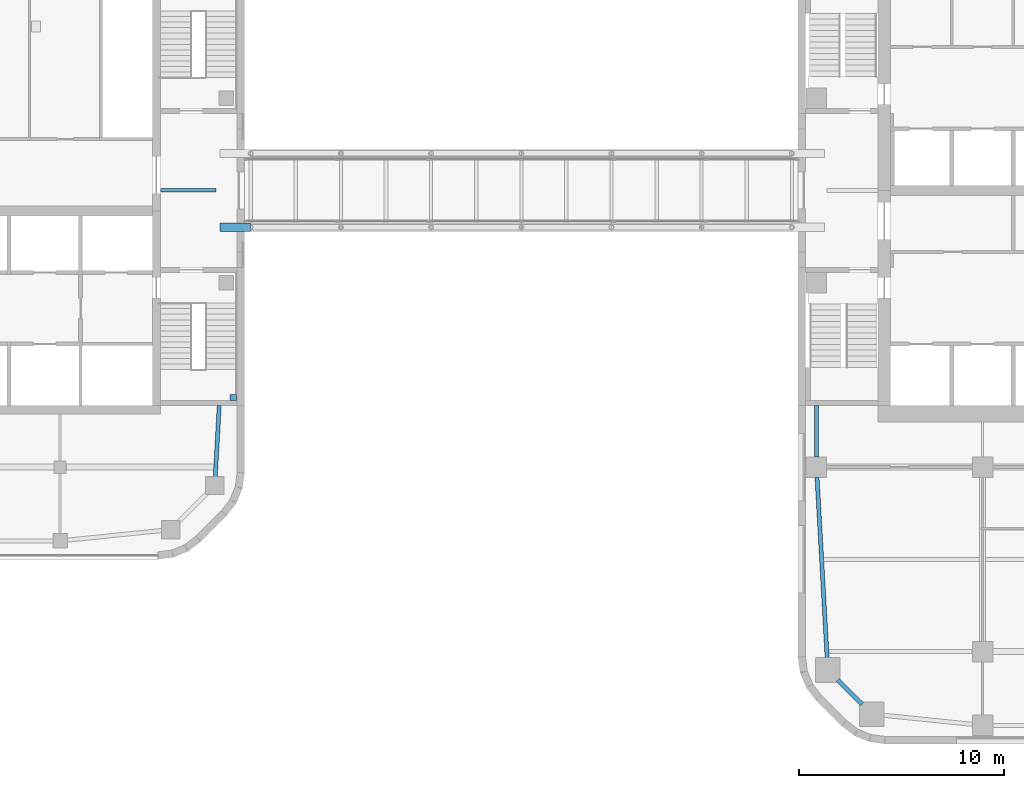
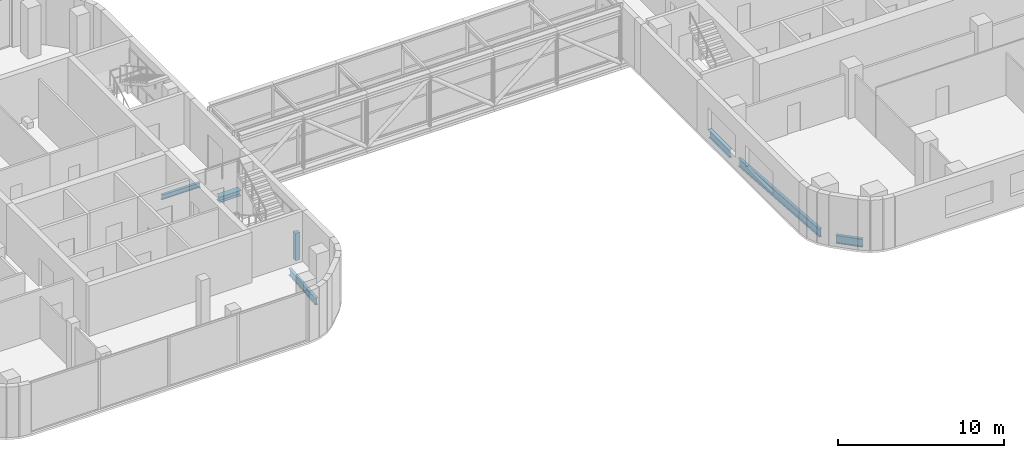
# One storey, part 4 of 21: 5 beams, 2 members.
"""IFC4 building model written with IfcOpenShell, lengths in metres."""

from ifc_helpers import new_model, si_unit, direction, frame, origin, origin_2d, place, context, subcontext, project, spatial, rectangle, i_section, extrude, material, material_profile, profile_set, type_object, element, save


model = new_model("IFC4")

# Units and contexts
model_context = context("Model", 3, precision=1e-05, world=origin(), true_north=direction((0.0, 1.0)))
body_context = subcontext(model_context, "Body", "Model", "MODEL_VIEW")
ifc_project = project(units=[si_unit("LENGTHUNIT", "METRE"), si_unit("AREAUNIT", "SQUARE_METRE"), si_unit("VOLUMEUNIT", "CUBIC_METRE"), si_unit("PLANEANGLEUNIT", "RADIAN"), si_unit("MASSUNIT", "GRAM", prefix="KILO")], contexts=[model_context])

# Site, building, storey
site_placement = place(None, origin())
site = spatial("IfcSite", under=ifc_project, at=site_placement, CompositionType="ELEMENT")
building_placement = place(site_placement, origin())
building = spatial("IfcBuilding", under=site, at=building_placement, Name="Cinnabar Reach Civic Tower", CompositionType="ELEMENT")
storey_placement = place(building_placement, frame((0.0, 0.0, 140.0)))
storey = spatial("IfcBuildingStorey", under=building, at=storey_placement, Name="L33", CompositionType="ELEMENT", Elevation=140.0)

# Beams
ifc_material_1 = material(Name="Steel Q355B", Category="steel")
ifc_material_profile_1 = material_profile(ifc_material_1, i_section(OverallWidth=0.175, OverallDepth=0.35, WebThickness=0.007, FlangeThickness=0.011, FilletRadius=0.013, at=origin_2d()), Name="HN350x175x7x11")
ifc_profile_set_1 = profile_set([ifc_material_profile_1], Name="Steel Q355B")
beam_type_1 = type_object("IfcBeamType", Name="HN350x175x7x11 beam R 120", PredefinedType="BEAM", material=ifc_profile_set_1)
beam_1_placement = place(storey_placement, frame((-31.098, 31.5, -0.325), z_axis=(1.0, 0.0, 0.0), x_axis=(0.0, 1.0, 0.0)))
element("IfcBeam", 1, at=beam_1_placement, inside=storey, type_object=beam_type_1, Name="Secondary beam T2 L33 6", PredefinedType="BEAM", context=body_context, shape_type="SweptSolid", body=[
    extrude(i_section(OverallWidth=0.175, OverallDepth=0.35, WebThickness=0.007, FlangeThickness=0.011, FilletRadius=0.013, at=origin_2d()), origin(), (0.0, 0.0, 1.0), 2.696),
])
ifc_material_profile_2 = material_profile(ifc_material_1, i_section(OverallWidth=0.2, OverallDepth=0.5, WebThickness=0.01, FlangeThickness=0.016, FilletRadius=0.016, at=origin_2d()), Name="HN500x200x10x16")
ifc_profile_set_2 = profile_set([ifc_material_profile_2], Name="Steel Q355B")
beam_type_2 = type_object("IfcBeamType", Name="HN500x200x10x16 beam R 120", PredefinedType="BEAM", material=ifc_profile_set_2)
beam_2_placement = place(storey_placement, frame((-28.4345, 17.4339, -0.4), z_axis=(0.055775670196, 0.99844332569, 0.0), x_axis=(-0.99844332569, 0.055775670196, 0.0)))
element("IfcBeam", 2, at=beam_2_placement, inside=storey, type_object=beam_type_2, Name="Edge beam T2 L33 5", PredefinedType="BEAM", context=body_context, shape_type="SweptSolid", body=[
    extrude(i_section(OverallWidth=0.2, OverallDepth=0.5, WebThickness=0.01, FlangeThickness=0.016, FilletRadius=0.016, at=origin_2d()), origin(), (0.0, 0.0, 1.0), 3.5697),
])
ifc_material_profile_3 = material_profile(ifc_material_1, i_section(OverallWidth=0.2, OverallDepth=0.6, WebThickness=0.011, FlangeThickness=0.017, FilletRadius=0.016, at=origin_2d()), Name="HN600x200x11x17")
ifc_profile_set_3 = profile_set([ifc_material_profile_3], Name="Steel Q355B")
beam_type_3 = type_object("IfcBeamType", Name="HN600x200x11x17 beam R 180", PredefinedType="BEAM", material=ifc_profile_set_3)
beam_3_placement = place(storey_placement, frame((0.9, 20.998, -0.45), z_axis=(0.0, -1.0, 0.0), x_axis=(1.0, 0.0, 0.0)))
element("IfcBeam", 3, at=beam_3_placement, inside=storey, type_object=beam_type_3, Name="Edge beam T1 L33 21", PredefinedType="BEAM", context=body_context, shape_type="SweptSolid", body=[
    extrude(i_section(OverallWidth=0.2, OverallDepth=0.6, WebThickness=0.011, FlangeThickness=0.017, FilletRadius=0.016, at=origin_2d()), origin(), (0.0, 0.0, 1.0), 2.496),
])
beam_4_placement = place(storey_placement, frame((0.9281, 17.498, -0.45), z_axis=(0.055790736166, -0.998442483951, 0.0), x_axis=(0.998442483951, 0.055790736166, 0.0)))
element("IfcBeam", 4, at=beam_4_placement, inside=storey, type_object=beam_type_3, Name="Edge beam T1 L33 22", PredefinedType="BEAM", context=body_context, shape_type="SweptSolid", body=[
    extrude(i_section(OverallWidth=0.2, OverallDepth=0.6, WebThickness=0.011, FlangeThickness=0.017, FilletRadius=0.016, at=origin_2d()), origin(), (0.0, 0.0, 1.0), 8.928),
])
beam_5_placement = place(storey_placement, frame((1.9351, 7.6199, -0.45), z_axis=(0.707106781187, -0.707106781187, 0.0), x_axis=(0.707106781187, 0.707106781187, 0.0)))
element("IfcBeam", 5, at=beam_5_placement, inside=storey, type_object=beam_type_3, Name="Edge beam T1 L33 23", PredefinedType="BEAM", context=body_context, shape_type="SweptSolid", body=[
    extrude(i_section(OverallWidth=0.2, OverallDepth=0.6, WebThickness=0.011, FlangeThickness=0.017, FilletRadius=0.016, at=origin_2d()), origin(), (0.0, 0.0, 1.0), 1.6756),
])

# Members
ifc_material_profile_4 = material_profile(ifc_material_1, i_section(OverallWidth=0.405, OverallDepth=0.414, WebThickness=0.018, FlangeThickness=0.028, FilletRadius=0.016, at=origin_2d()), Name="HW414x405x18x28")
ifc_profile_set_4 = profile_set([ifc_material_profile_4], Name="Steel Q355B")
member_type_1 = type_object("IfcMemberType", Name="HW414x405x18x28 bridge chord", PredefinedType="CHORD", material=ifc_profile_set_4)
member_1_placement = place(storey_placement, frame((-28.2, 29.7, -0.357), z_axis=(1.0, 0.0, 0.0), x_axis=(0.0, 1.0, 0.0)))
element("IfcMember", 6, at=member_1_placement, inside=storey, type_object=member_type_1, Name="BR2 truss bottom chord", PredefinedType="CHORD", context=body_context, shape_type="SweptSolid", body=[
    extrude(i_section(OverallWidth=0.405, OverallDepth=0.414, WebThickness=0.018, FlangeThickness=0.028, FilletRadius=0.016, at=origin_2d()), origin(), (0.0, 0.0, 1.0), 1.5),
])
ifc_material_2 = material(Name="Concrete C40", Category="concrete")
ifc_material_profile_5 = material_profile(ifc_material_2, rectangle(XDim=0.3, YDim=0.3, at=origin_2d()), Name="C300")
ifc_profile_set_5 = profile_set([ifc_material_profile_5], Name="Concrete C40")
member_type_2 = type_object("IfcMemberType", Name="T2 stair post 300", PredefinedType="STRUT", material=ifc_profile_set_5)
member_2_placement = place(storey_placement, frame((-27.55, 21.4, 0.0), z_axis=(0.0, 0.0, 1.0), x_axis=(1.0, 0.0, 0.0)))
element("IfcMember", 7, at=member_2_placement, inside=storey, type_object=member_type_2, Name="Stair post 1", PredefinedType="STRUT", context=body_context, shape_type="SweptSolid", body=[
    extrude(rectangle(XDim=0.3, YDim=0.3, at=origin_2d()), origin(), (0.0, 0.0, 1.0), 2.0),
])

save(model, "model.ifc")
